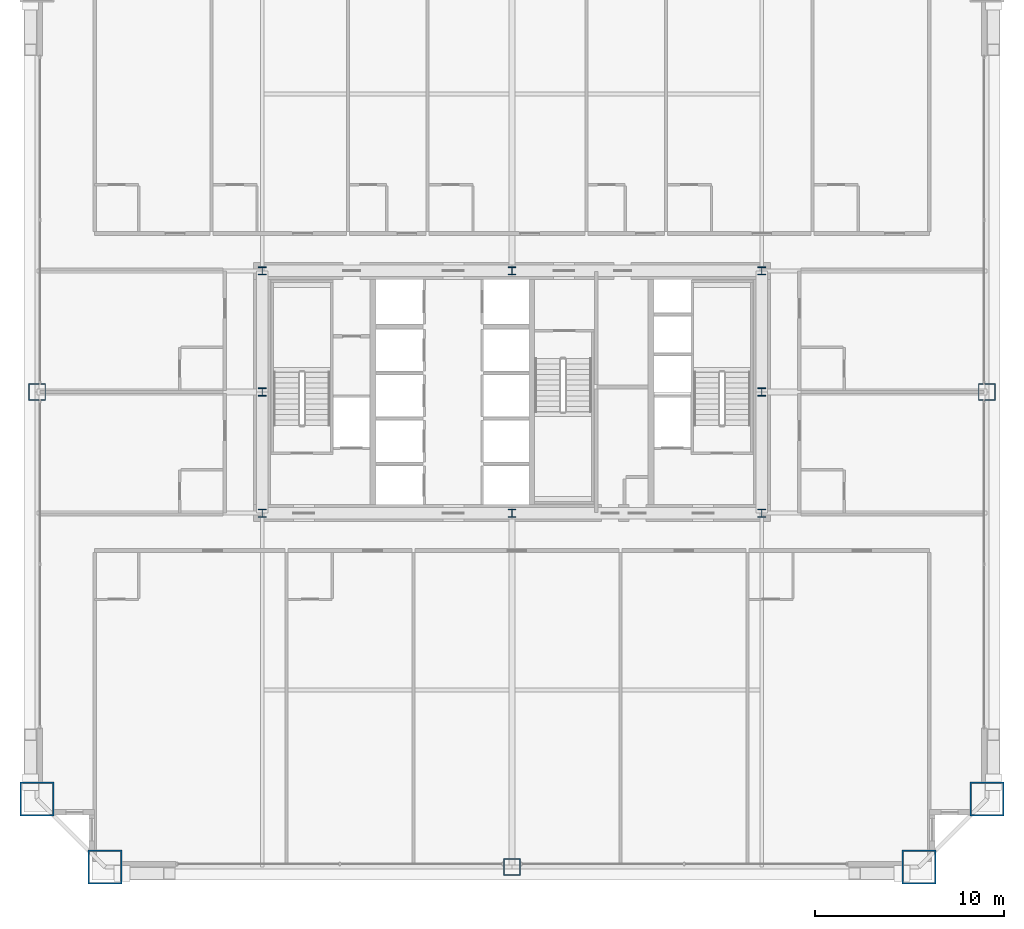
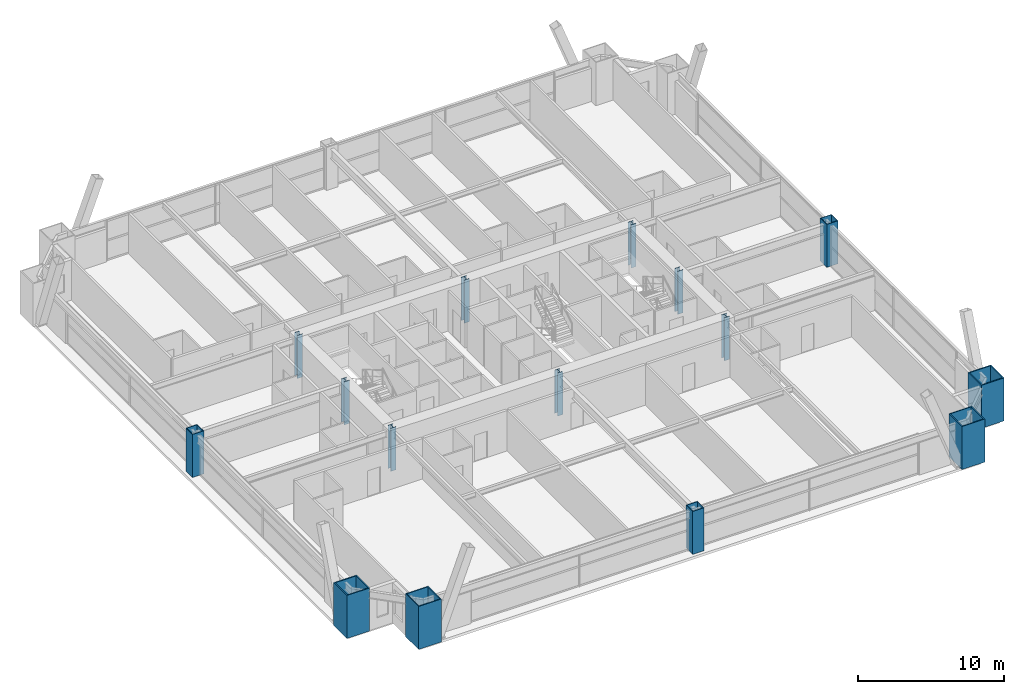
# One storey, part 1 of 43: 15 columns.
"""IFC4 building model written with IfcOpenShell, lengths in metres."""

import ifcopenshell
import ifcopenshell.guid

model = None  # the IFC model being written
_history = None  # IfcOwnerHistory: only IFC2X3 demands one
_inside = {}  # id of a spatial element -> (the spatial element, [elements in it])
_under = {}  # id of a project, library or spatial element -> (it, [spatial elements below it])
_declared = {}  # id of a project -> (the project, [libraries it declares])
_typed = {}  # id of a type object -> (the type object, [elements of that type])
_made_of = {}  # id of a material, layer set ... -> (it, [elements and type objects made of it])


def new_model(schema):
    """Start an empty IFC model of exactly this schema.

    Asked for "IFC4X3", IfcOpenShell would pick the latest addendum, in which some entities
    have other attributes; the version numbers below select the first issue.
    IFC2X3 requires an IfcOwnerHistory on every rooted entity: one is made here for all.
    """
    global model, _history
    if schema == "IFC4X3":
        model = ifcopenshell.file(schema_version=(4, 3, 0, 0))
    else:
        model = ifcopenshell.file(schema=schema)
    _inside.clear()
    _under.clear()
    _declared.clear()
    _typed.clear()
    _made_of.clear()
    _history = None
    if model.schema == "IFC2X3":
        org = make("IfcOrganization", Name="unknown")
        user = make(
            "IfcPersonAndOrganization",
            ThePerson=make("IfcPerson", FamilyName="unknown"),
            TheOrganization=org,
        )
        app = make(
            "IfcApplication",
            ApplicationDeveloper=org,
            Version="unknown",
            ApplicationFullName="unknown",
            ApplicationIdentifier="unknown",
        )
        _history = make(
            "IfcOwnerHistory",
            OwningUser=user,
            OwningApplication=app,
            ChangeAction="ADDED",
            CreationDate=0,
        )
    return model


def make(cls, **values):
    """One entity of the class cls with the attributes given. An attribute that is None is left unset."""
    return model.create_entity(
        cls, **{name: value for name, value in values.items() if value is not None}
    )


def rooted(cls, **values):
    """An entity with a GlobalId (a new one), such as an element, a storey or a relation."""
    return make(cls, GlobalId=ifcopenshell.guid.new(), OwnerHistory=_history, **values)


def si_unit(unit_type, name, prefix=None):
    """IfcSIUnit, for example si_unit("LENGTHUNIT", "METRE", prefix="MILLI")."""
    return make("IfcSIUnit", UnitType=unit_type, Prefix=prefix, Name=name)


def assignment(units):
    """IfcUnitAssignment: the units of a project."""
    return None if units is None else make("IfcUnitAssignment", Units=units)


def point(xyz):
    """IfcCartesianPoint."""
    return None if xyz is None else make("IfcCartesianPoint", Coordinates=xyz)


def direction(xyz):
    """IfcDirection."""
    return None if xyz is None else make("IfcDirection", DirectionRatios=xyz)


def frame(location, z_axis=None, x_axis=None):
    """IfcAxis2Placement3D, a coordinate frame: its origin and axes. An axis left out is left unset."""
    return make(
        "IfcAxis2Placement3D",
        Location=point(location),
        Axis=direction(z_axis),
        RefDirection=direction(x_axis),
    )


def frame_2d(location, x_axis=None):
    """IfcAxis2Placement2D, a coordinate frame in the plane: its origin and x axis."""
    return make(
        "IfcAxis2Placement2D", Location=point(location), RefDirection=direction(x_axis)
    )


def origin():
    """The frame at (0, 0, 0) with its axes left unset."""
    return frame((0.0, 0.0, 0.0))


def origin_2d():
    """The frame at (0, 0) in the plane with its x axis left unset."""
    return frame_2d((0.0, 0.0))


def place(relative_to, where):
    """IfcLocalPlacement: puts the frame where relative to a parent placement (None: the world)."""
    return make(
        "IfcLocalPlacement", PlacementRelTo=relative_to, RelativePlacement=where
    )


def context(
    kind, dimensions, precision=None, world=None, true_north=None, identifier=None
):
    """IfcGeometricRepresentationContext, for example the 3D "Model" context."""
    return make(
        "IfcGeometricRepresentationContext",
        ContextIdentifier=identifier,
        ContextType=kind,
        CoordinateSpaceDimension=dimensions,
        Precision=precision,
        WorldCoordinateSystem=world,
        TrueNorth=true_north,
    )


def subcontext(parent, identifier, kind, view, scale=None):
    """IfcGeometricRepresentationSubContext, for example "Body" below "Model"."""
    return make(
        "IfcGeometricRepresentationSubContext",
        ContextIdentifier=identifier,
        ContextType=kind,
        ParentContext=parent,
        TargetScale=scale,
        TargetView=view,
    )


def project(units=None, contexts=None):
    """IfcProject with its units and contexts."""
    return rooted(
        "IfcProject",
        Name="project",
        RepresentationContexts=contexts,
        UnitsInContext=assignment(units),
    )


def spatial(cls, under=None, at=None, **own):
    """A site, building, storey or space (cls), placed at a placement, below another one or the project."""
    s = rooted(cls, ObjectPlacement=at, **own)
    if under is not None:
        _under.setdefault(under.id(), (under, []))[1].append(s)
    return s


def profile(cls, at=None, kind="AREA", **sizes):
    """A parametric profile (cls). Its sizes go by their IFC names, for example OverallWidth=200.0."""
    return make(cls, ProfileType=kind, Position=at, **sizes)


def hollow_rectangle(**sizes):
    """IfcRectangleHollowProfileDef."""
    return profile("IfcRectangleHollowProfileDef", **sizes)


def i_section(**sizes):
    """IfcIShapeProfileDef."""
    return profile("IfcIShapeProfileDef", **sizes)


def extrude(swept, where, along, depth):
    """IfcExtrudedAreaSolid: the profile swept, set in the frame where, extruded along a direction by depth."""
    return make(
        "IfcExtrudedAreaSolid",
        SweptArea=swept,
        Position=where,
        ExtrudedDirection=direction(along),
        Depth=depth,
    )


def shape(context_of_items, identifier, shape_type, items):
    """IfcShapeRepresentation: the items that make up one representation, for example the "Body"."""
    return make(
        "IfcShapeRepresentation",
        ContextOfItems=context_of_items,
        RepresentationIdentifier=identifier,
        RepresentationType=shape_type,
        Items=items,
    )


def source(mapping_origin, context_of_items, identifier, shape_type, items):
    """IfcRepresentationMap: a shape defined once, which mapped items show again and again."""
    return make(
        "IfcRepresentationMap",
        MappingOrigin=mapping_origin,
        MappedRepresentation=shape(context_of_items, identifier, shape_type, items),
    )


def transform(
    local_origin,
    x_axis=None,
    y_axis=None,
    z_axis=None,
    scale=None,
    scale2=None,
    scale3=None,
    uniform=True,
):
    """IfcCartesianTransformationOperator3D, or its non-uniform kind. x_axis, y_axis, z_axis: its Axis1, 2, 3."""
    if uniform:
        return make(
            "IfcCartesianTransformationOperator3D",
            Axis1=direction(x_axis),
            Axis2=direction(y_axis),
            LocalOrigin=point(local_origin),
            Scale=scale,
            Axis3=direction(z_axis),
        )
    return make(
        "IfcCartesianTransformationOperator3DnonUniform",
        Axis1=direction(x_axis),
        Axis2=direction(y_axis),
        LocalOrigin=point(local_origin),
        Scale=scale,
        Axis3=direction(z_axis),
        Scale2=scale2,
        Scale3=scale3,
    )


def mapped(mapping_source, mapping_target):
    """IfcMappedItem: shows the shape of a source again, moved by a transform."""
    return make(
        "IfcMappedItem", MappingSource=mapping_source, MappingTarget=mapping_target
    )


def material(Name=None, Category=None):
    """IfcMaterial."""
    return make("IfcMaterial", Name=Name, Category=Category)


def material_profile(
    of_material, cross_section, Name=None, Category=None, Priority=None
):
    """IfcMaterialProfile: a cross section and its material."""
    return make(
        "IfcMaterialProfile",
        Name=Name,
        Material=of_material,
        Profile=cross_section,
        Priority=Priority,
        Category=Category,
    )


def profile_set(profiles, Name=None, composite=None):
    """IfcMaterialProfileSet."""
    return make(
        "IfcMaterialProfileSet",
        Name=Name,
        MaterialProfiles=profiles,
        CompositeProfile=composite,
    )


def made_of(thing, what):
    """Note that an element or type object is made of a material, layer set ...; save() writes the relation."""
    if what is not None:
        _made_of.setdefault(what.id(), (what, []))[1].append(thing)
    return thing


def type_object(cls, material=None, **own):
    """A type object (cls), such as IfcWallType, which elements share."""
    return made_of(rooted(cls, **own), material)


def element(
    cls,
    number,
    at=None,
    inside=None,
    cuts=None,
    type_object=None,
    material=None,
    context=None,
    identifier="Body",
    shape_type=None,
    held_by="IfcProductDefinitionShape",
    body=None,
    shapes=None,
    **own,
):
    """One element of the class cls, such as IfcWall. Its Tag is "e" and its number.

    at: its placement. inside: the storey or other place that contains it. cuts: it is an
    opening in that element (IfcRelVoidsElement). A single representation is given by context,
    identifier, shape_type and body (its items); several are given by shapes. held_by: the class
    of the entity that holds the representations. save() writes the other relations.
    """
    e = rooted(cls, Tag="e%d" % number, ObjectPlacement=at, **own)
    if body is not None:
        shapes = [shape(context, identifier, shape_type, body)]
    if shapes is not None:
        e.Representation = make(held_by, Representations=shapes)
    if inside is not None:
        _inside.setdefault(inside.id(), (inside, []))[1].append(e)
    if cuts is not None:
        rooted(
            "IfcRelVoidsElement", RelatingBuildingElement=cuts, RelatedOpeningElement=e
        )
    if type_object is not None:
        _typed.setdefault(type_object.id(), (type_object, []))[1].append(e)
    return made_of(e, material)


def aggregate(whole, parts):
    """IfcRelAggregates: a whole, such as a stair, and the parts it consists of."""
    return rooted("IfcRelAggregates", RelatingObject=whole, RelatedObjects=parts)


def save(model, path):
    """Write the relations noted so far, then the file.

    IfcRelAggregates (storeys below a building ...), IfcRelContainedInSpatialStructure (elements
    in a storey), IfcRelDefinesByType, IfcRelAssociatesMaterial and IfcRelDeclares: one each for
    every whole, place, type object, material and project.
    """
    for whole, parts in _under.values():
        aggregate(whole, parts)
    for where, things in _inside.values():
        rooted(
            "IfcRelContainedInSpatialStructure",
            RelatedElements=things,
            RelatingStructure=where,
        )
    for kind, things in _typed.values():
        rooted("IfcRelDefinesByType", RelatedObjects=things, RelatingType=kind)
    for what, things in _made_of.values():
        rooted("IfcRelAssociatesMaterial", RelatedObjects=things, RelatingMaterial=what)
    for by, libraries in _declared.values():
        rooted("IfcRelDeclares", RelatingContext=by, RelatedDefinitions=libraries)
    model.write(path)


model = new_model("IFC4")

# Units and contexts
model_context = context("Model", 3, precision=1e-05, world=origin(), true_north=direction((0.0, 1.0)))
body_context = subcontext(model_context, "Body", "Model", "MODEL_VIEW")
ifc_project = project(units=[si_unit("LENGTHUNIT", "METRE"), si_unit("AREAUNIT", "SQUARE_METRE"), si_unit("VOLUMEUNIT", "CUBIC_METRE"), si_unit("PLANEANGLEUNIT", "RADIAN"), si_unit("MASSUNIT", "GRAM", prefix="KILO"), si_unit("THERMODYNAMICTEMPERATUREUNIT", "KELVIN"), si_unit("POWERUNIT", "WATT")], contexts=[model_context])

# Site, building, storey
site_placement = place(None, origin())
site = spatial("IfcSite", under=ifc_project, at=site_placement, CompositionType="ELEMENT")
building_placement = place(site_placement, origin())
building = spatial("IfcBuilding", under=site, at=building_placement, Name="Yuzanri Waterfront Tower", CompositionType="ELEMENT")
storey_placement = place(building_placement, frame((0.0, 0.0, 46.0)))
storey = spatial("IfcBuildingStorey", under=building, at=storey_placement, Name="L11", CompositionType="ELEMENT", Elevation=46.0)

# Columns
ifc_material_1 = material(Name="Steel Q355B", Category="steel")
ifc_material_profile_1 = material_profile(ifc_material_1, i_section(OverallWidth=0.406982421875, OverallDepth=0.427978515625, WebThickness=0.02001953125, FlangeThickness=0.034912109375, at=origin_2d()), Name="HW 428x407x20x35")
ifc_profile_set_1 = profile_set([ifc_material_profile_1], Name="Steel Q355B")
column_type_1 = type_object("IfcColumnType", Name="Core Post Q355B HW 428x407x20x35", PredefinedType="COLUMN", material=ifc_profile_set_1)
shared_shape_1 = source(origin(), body_context, "Body", "SweptSolid", [
    extrude(i_section(OverallWidth=0.406982421875, OverallDepth=0.427978515625, WebThickness=0.02001953125, FlangeThickness=0.034912109375, at=origin_2d()), origin(), (0.0, 0.0, 1.0), 3.60009765625),
])
for number, where, z_axis, x_axis, name in (
    (1, (23.800048828125, 19.39990234375, 0.0), (0.0, 0.0, 1.0), (1.0, 0.0, 0.0), "L11 Core Boundary Column CP1"),
    (2, (37.0, 19.39990234375, 0.0), (0.0, 0.0, 1.0), (1.0, 0.0, 0.0), "L11 Core Boundary Column CP2"),
    (3, (50.199951171875, 19.39990234375, 0.0), (0.0, 0.0, 1.0), (1.0, 0.0, 0.0), "L11 Core Boundary Column CP3"),
    (4, (23.800048828125, 25.800048828125, 0.0), (0.0, 0.0, 1.0), (1.0, 0.0, 0.0), "L11 Core Boundary Column CP4"),
    (5, (50.199951171875, 25.800048828125, 0.0), (0.0, 0.0, 1.0), (1.0, 0.0, 0.0), "L11 Core Boundary Column CP5"),
    (6, (23.800048828125, 32.199951171875, 0.0), (0.0, 0.0, 1.0), (1.0, 0.0, 0.0), "L11 Core Boundary Column CP6"),
    (7, (37.0, 32.199951171875, 0.0), (0.0, 0.0, 1.0), (1.0, 0.0, 0.0), "L11 Core Boundary Column CP7"),
    (8, (50.199951171875, 32.199951171875, 0.0), (0.0, 0.0, 1.0), (1.0, 0.0, 0.0), "L11 Core Boundary Column CP8"),
):
    element("IfcColumn", number, at=place(storey_placement, frame(where, z_axis=z_axis, x_axis=x_axis)), inside=storey, type_object=column_type_1, Name=name, PredefinedType="COLUMN", context=body_context, shape_type="MappedRepresentation", body=[
        mapped(shared_shape_1, transform((0.0, 0.0, 0.0), scale=1.0)),
    ])
ifc_material_2 = material(Name="Steel Q420GJC", Category="steel")
ifc_material_profile_2 = material_profile(ifc_material_2, hollow_rectangle(XDim=1.800048828125, YDim=1.800048828125, WallThickness=0.080078125, at=origin_2d()), Name="RHS 1800x1800x80")
ifc_profile_set_2 = profile_set([ifc_material_profile_2], Name="Steel Q420GJC")
column_type_2 = type_object("IfcColumnType", Name="Mega Column Q420GJC RHS 1800x1800x80", PredefinedType="COLUMN", material=ifc_profile_set_2)
shared_shape_2 = source(origin(), body_context, "Body", "SweptSolid", [
    extrude(hollow_rectangle(XDim=1.800048828125, YDim=1.800048828125, WallThickness=0.080078125, at=origin_2d()), origin(), (0.0, 0.0, 1.0), 3.60009765625),
])
for number, where, z_axis, x_axis, name in (
    (9, (15.5, 0.699951171875, 0.0), (0.0, 0.0, 1.0), (1.0, 0.0, 0.0), "L11 Perimeter Mega Column S1"),
    (10, (58.5, 0.699951171875, 0.0), (0.0, 0.0, 1.0), (1.0, 0.0, 0.0), "L11 Perimeter Mega Column S3"),
    (11, (11.89990234375, 4.300048828125, 0.0), (0.0, 0.0, 1.0), (1.0, 0.0, 0.0), "L11 Perimeter Mega Column W1"),
    (12, (62.10009765625, 4.300048828125, 0.0), (0.0, 0.0, 1.0), (1.0, 0.0, 0.0), "L11 Perimeter Mega Column E1"),
):
    element("IfcColumn", number, at=place(storey_placement, frame(where, z_axis=z_axis, x_axis=x_axis)), inside=storey, type_object=column_type_2, Name=name, PredefinedType="COLUMN", context=body_context, shape_type="MappedRepresentation", body=[
        mapped(shared_shape_2, transform((0.0, 0.0, 0.0), scale=1.0)),
    ])
ifc_material_3 = material(Name="Steel Q390GJC", Category="steel")
ifc_material_profile_3 = material_profile(ifc_material_3, hollow_rectangle(XDim=0.89990234375, YDim=0.89990234375, WallThickness=0.0419921875, at=origin_2d()), Name="RHS 900x900x42")
ifc_profile_set_3 = profile_set([ifc_material_profile_3], Name="Steel Q390GJC")
column_type_3 = type_object("IfcColumnType", Name="Frame Column Q390GJC RHS 900x900x42", PredefinedType="COLUMN", material=ifc_profile_set_3)
shared_shape_3 = source(origin(), body_context, "Body", "SweptSolid", [
    extrude(hollow_rectangle(XDim=0.89990234375, YDim=0.89990234375, WallThickness=0.0419921875, at=origin_2d()), origin(), (0.0, 0.0, 1.0), 3.60009765625),
])
for number, where, z_axis, x_axis, name in (
    (13, (37.0, 0.699951171875, 0.0), (0.0, 0.0, 1.0), (1.0, 0.0, 0.0), "L11 Perimeter Frame Column S2"),
    (14, (11.89990234375, 25.800048828125, 0.0), (0.0, 0.0, 1.0), (1.0, 0.0, 0.0), "L11 Perimeter Frame Column W2"),
    (15, (62.10009765625, 25.800048828125, 0.0), (0.0, 0.0, 1.0), (1.0, 0.0, 0.0), "L11 Perimeter Frame Column E2"),
):
    element("IfcColumn", number, at=place(storey_placement, frame(where, z_axis=z_axis, x_axis=x_axis)), inside=storey, type_object=column_type_3, Name=name, PredefinedType="COLUMN", context=body_context, shape_type="MappedRepresentation", body=[
        mapped(shared_shape_3, transform((0.0, 0.0, 0.0), scale=1.0)),
    ])

save(model, "model.ifc")
